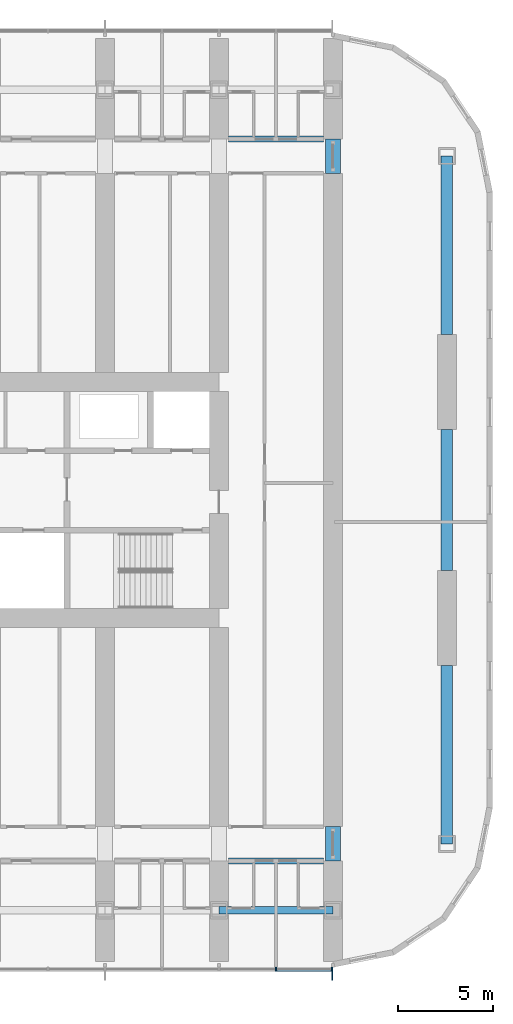
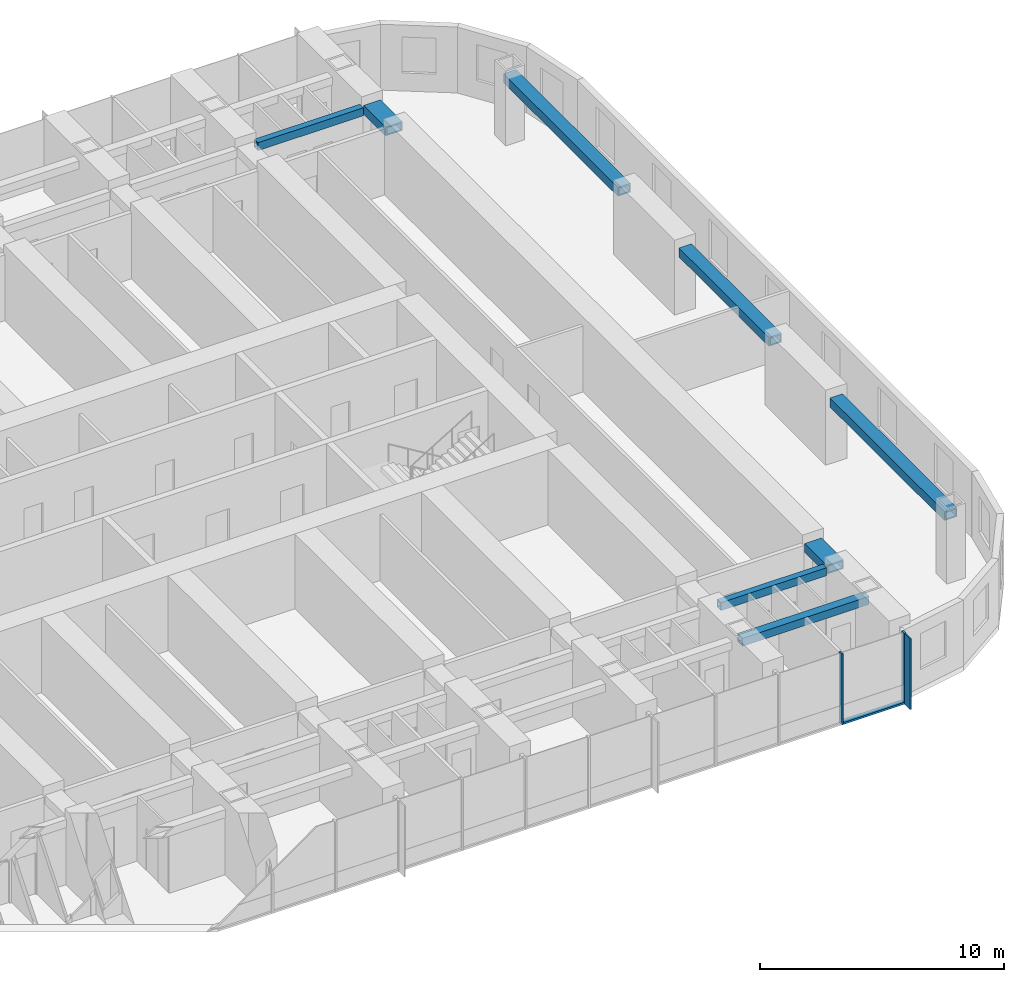
# One storey, part 6 of 24: 8 beams, 4 members, 1 element without a shape of its own.
"""IFC4 building model written with IfcOpenShell, lengths in metres."""

from ifc_helpers import new_model, si_unit, direction, frame, origin, origin_2d, place, context, subcontext, project, spatial, rectangle, hollow_rectangle, extrude, material, material_profile, profile_set, type_object, element, aggregate, save


model = new_model("IFC4")

# Units and contexts
model_context = context("Model", 3, precision=1e-05, world=origin(), true_north=direction((0.0, 1.0)))
body_context = subcontext(model_context, "Body", "Model", "MODEL_VIEW")
ifc_project = project(units=[si_unit("LENGTHUNIT", "METRE"), si_unit("AREAUNIT", "SQUARE_METRE"), si_unit("VOLUMEUNIT", "CUBIC_METRE"), si_unit("PLANEANGLEUNIT", "RADIAN"), si_unit("MASSUNIT", "GRAM", prefix="KILO")], contexts=[model_context])

# Site, building, storey
site_placement = place(None, origin())
site = spatial("IfcSite", under=ifc_project, at=site_placement, CompositionType="ELEMENT")
building_placement = place(site_placement, origin())
building = spatial("IfcBuilding", under=site, at=building_placement, Name="Orbita Commons", CompositionType="ELEMENT")
storey_placement = place(building_placement, frame((0.0, 0.0, 20.199951171875)))
storey = spatial("IfcBuildingStorey", under=building, at=storey_placement, Name="L04", CompositionType="ELEMENT", Elevation=20.199951171875)

# Curtain wall, members
ifc_material_1 = material(Name="Anodised aluminium frame, pale silver", Category="aluminium")
curtain_wall_type = type_object("IfcCurtainWallType", Name="Unitised curtain wall CW-T, vision and spandrel", PredefinedType="NOTDEFINED", material=ifc_material_1)
curtain_wall_placement = place(storey_placement, origin())
curtain_wall = element("IfcCurtainWall", 1, at=curtain_wall_placement, inside=storey, type_object=curtain_wall_type, Name="Curtain wall south L04", PredefinedType="NOTDEFINED")
ifc_material_2 = material(Name="Anodised aluminium, pale silver", Category="aluminium")
ifc_material_profile_1 = material_profile(ifc_material_2, rectangle(XDim=0.080078125, YDim=0.219970703125, at=origin_2d()), Name="AL 80x220")
ifc_profile_set_1 = profile_set([ifc_material_profile_1], Name="Anodised aluminium, pale silver")
member_type_1 = type_object("IfcMemberType", Name="Curtain wall mullion 80x220", PredefinedType="MULLION", material=ifc_profile_set_1)
member_1_placement = place(storey_placement, frame((69.0, 7.2900390625, -0.25), z_axis=(0.0, 0.0, 1.0), x_axis=(1.0, 0.0, 0.0)))
member_1 = element("IfcMember", 2, at=member_1_placement, type_object=member_type_1, Name="Mullion 20 CW-L04-S", PredefinedType="MULLION", context=body_context, shape_type="SweptSolid", body=[
    extrude(rectangle(XDim=0.080078125, YDim=0.219970703125, at=origin_2d()), origin(), (0.0, 0.0, 1.0), 3.550048828125),
])
member_2_placement = place(storey_placement, frame((71.9599609375, 7.2900390625, -0.25), z_axis=(0.0, 0.0, 1.0), x_axis=(1.0, 0.0, 0.0)))
member_2 = element("IfcMember", 3, at=member_2_placement, type_object=member_type_1, Name="Mullion 21 CW-L04-S", PredefinedType="MULLION", context=body_context, shape_type="SweptSolid", body=[
    extrude(rectangle(XDim=0.080078125, YDim=0.219970703125, at=origin_2d()), origin(), (0.0, 0.0, 1.0), 3.550048828125),
])
ifc_material_3 = material(Name="Anodised aluminium, pale silver", Category="aluminium")
ifc_material_profile_2 = material_profile(ifc_material_3, rectangle(XDim=0.219970703125, YDim=0.10009765625, at=origin_2d()), Name="AL 220x100")
ifc_profile_set_2 = profile_set([ifc_material_profile_2], Name="Anodised aluminium, pale silver")
member_type_2 = type_object("IfcMemberType", Name="Curtain wall stack transom 220x100", PredefinedType="USERDEFINED", material=ifc_profile_set_2)
member_3_placement = place(storey_placement, frame((69.0400390625, 7.2900390625, -0.199951171875), z_axis=(1.0, 0.0, 0.0), x_axis=(0.0, 1.0, 0.0)))
member_3 = element("IfcMember", 4, at=member_3_placement, type_object=member_type_2, Name="Transom 20.1 CW-L04-S", ObjectType="TRANSOM", PredefinedType="USERDEFINED", context=body_context, shape_type="SweptSolid", body=[
    extrude(rectangle(XDim=0.219970703125, YDim=0.10009765625, at=origin_2d()), origin(), (0.0, 0.0, 1.0), 2.8798828125),
])

# Beams
ifc_material_4 = material(Name="Steel ASTM A572 Gr 50 welded plate", Category="steel")
ifc_material_profile_3 = material_profile(ifc_material_4, hollow_rectangle(XDim=0.300048828125, YDim=0.39990234375, WallThickness=0.0400390625, at=origin_2d()), Name="BOX 400x300x40")
ifc_profile_set_3 = profile_set([ifc_material_profile_3], Name="Steel ASTM A572 Gr 50 welded plate")
beam_type_1 = type_object("IfcBeamType", Name="Steel corridor link BOX 400x300x40", PredefinedType="BEAM", material=ifc_profile_set_3)
for number, where, z_axis, x_axis, name in (
    (5, (66.5, 13.0, 3.10009765625), (1.0, 0.0, 0.0), (0.0, 1.0, 0.0), "Corridor beam SA 12-13 L04"),
    (6, (66.5, 51.0, 3.10009765625), (1.0, 0.0, 0.0), (0.0, 1.0, 0.0), "Corridor beam NB 12-13 L04"),
):
    element("IfcBeam", number, at=place(storey_placement, frame(where, z_axis=z_axis, x_axis=x_axis)), inside=storey, type_object=beam_type_1, Name=name, PredefinedType="BEAM", context=body_context, shape_type="SweptSolid", body=[
        extrude(hollow_rectangle(XDim=0.300048828125, YDim=0.39990234375, WallThickness=0.0400390625, at=origin_2d()), origin(), (0.0, 0.0, 1.0), 5.0),
    ])
ifc_material_5 = material(Name="Steel ASTM A572 Gr 50 welded plate", Category="steel")
ifc_material_profile_4 = material_profile(ifc_material_5, hollow_rectangle(XDim=0.800048828125, YDim=0.449951171875, WallThickness=0.06005859375, at=origin_2d()), Name="BOX 450x800x60")
ifc_profile_set_4 = profile_set([ifc_material_profile_4], Name="Steel ASTM A572 Gr 50 welded plate")
beam_type_2 = type_object("IfcBeamType", Name="Steel coupling link BOX 450x800x60", PredefinedType="LINTEL", material=ifc_profile_set_4)
for number, where, z_axis, x_axis, name in (
    (7, (72.0, 13.0, 3.074951171875), (0.0, 1.0, 0.0), (-1.0, 0.0, 0.0), "Coupling beam 13 south L04"),
    (8, (72.0, 49.199951171875, 3.074951171875), (0.0, 1.0, 0.0), (-1.0, 0.0, 0.0), "Coupling beam 13 north L04"),
):
    element("IfcBeam", number, at=place(storey_placement, frame(where, z_axis=z_axis, x_axis=x_axis)), inside=storey, type_object=beam_type_2, Name=name, PredefinedType="LINTEL", context=body_context, shape_type="SweptSolid", body=[
        extrude(hollow_rectangle(XDim=0.800048828125, YDim=0.449951171875, WallThickness=0.06005859375, at=origin_2d()), origin(), (0.0, 0.0, 1.0), 1.800048828125),
    ])
ifc_material_6 = material(Name="Steel ASTM A572 Gr 50 welded plate", Category="steel")
ifc_material_profile_5 = material_profile(ifc_material_6, hollow_rectangle(XDim=0.60009765625, YDim=0.449951171875, WallThickness=0.06005859375, at=origin_2d()), Name="BOX 450x600x60")
ifc_profile_set_5 = profile_set([ifc_material_profile_5], Name="Steel ASTM A572 Gr 50 welded plate")
beam_type_3 = type_object("IfcBeamType", Name="Steel end frame link BOX 450x600x60", PredefinedType="BEAM", material=ifc_profile_set_5)
beam_1_placement = place(storey_placement, frame((78.0, 13.89990234375, 3.074951171875), z_axis=(0.0, 1.0, 0.0), x_axis=(-1.0, 0.0, 0.0)))
element("IfcBeam", 9, at=beam_1_placement, inside=storey, type_object=beam_type_3, Name="End frame beam 14 B-C L04", PredefinedType="BEAM", context=body_context, shape_type="SweptSolid", body=[
    extrude(hollow_rectangle(XDim=0.60009765625, YDim=0.449951171875, WallThickness=0.06005859375, at=origin_2d()), origin(), (0.0, 0.0, 1.0), 9.400146484375),
])
beam_2_placement = place(storey_placement, frame((78.0, 28.300048828125, 3.074951171875), z_axis=(0.0, 1.0, 0.0), x_axis=(-1.0, 0.0, 0.0)))
element("IfcBeam", 10, at=beam_2_placement, inside=storey, type_object=beam_type_3, Name="End frame beam 14 C-D L04", PredefinedType="BEAM", context=body_context, shape_type="SweptSolid", body=[
    extrude(hollow_rectangle(XDim=0.60009765625, YDim=0.449951171875, WallThickness=0.06005859375, at=origin_2d()), origin(), (0.0, 0.0, 1.0), 7.39990234375),
])
beam_3_placement = place(storey_placement, frame((78.0, 40.699951171875, 3.074951171875), z_axis=(0.0, 1.0, 0.0), x_axis=(-1.0, 0.0, 0.0)))
element("IfcBeam", 11, at=beam_3_placement, inside=storey, type_object=beam_type_3, Name="End frame beam 14 D-E L04", PredefinedType="BEAM", context=body_context, shape_type="SweptSolid", body=[
    extrude(hollow_rectangle(XDim=0.60009765625, YDim=0.449951171875, WallThickness=0.06005859375, at=origin_2d()), origin(), (0.0, 0.0, 1.0), 9.400146484375),
])
ifc_material_7 = material(Name="Steel ASTM A572 Gr 50 welded plate", Category="steel")
ifc_material_profile_6 = material_profile(ifc_material_7, hollow_rectangle(XDim=0.39990234375, YDim=0.39990234375, WallThickness=0.0400390625, at=origin_2d()), Name="BOX 400x400x40")
ifc_profile_set_6 = profile_set([ifc_material_profile_6], Name="Steel ASTM A572 Gr 50 welded plate")
beam_type_4 = type_object("IfcBeamType", Name="Steel spandrel BOX 400x400x40", PredefinedType="SPANDREL", material=ifc_profile_set_6)
beam_4_placement = place(storey_placement, frame((66.0, 10.39990234375, 3.10009765625), z_axis=(1.0, 0.0, 0.0), x_axis=(0.0, 1.0, 0.0)))
element("IfcBeam", 12, at=beam_4_placement, inside=storey, type_object=beam_type_4, Name="Spandrel beam B 12-13 L04", PredefinedType="SPANDREL", context=body_context, shape_type="SweptSolid", body=[
    extrude(hollow_rectangle(XDim=0.39990234375, YDim=0.39990234375, WallThickness=0.0400390625, at=origin_2d()), origin(), (0.0, 0.0, 1.0), 6.0),
])

# Member
ifc_material_8 = material(Name="Anodised aluminium, pale silver", Category="aluminium")
ifc_material_profile_7 = material_profile(ifc_material_8, rectangle(XDim=0.06005859375, YDim=0.449951171875, at=origin_2d()), Name="FIN 60x450")
ifc_profile_set_7 = profile_set([ifc_material_profile_7], Name="Anodised aluminium, pale silver")
member_type_3 = type_object("IfcMemberType", Name="Vertical fin 60x450 pale aluminium", PredefinedType="USERDEFINED", material=ifc_profile_set_7)
member_4_placement = place(storey_placement, frame((71.9599609375, 6.955078125, -0.25), z_axis=(0.0, 0.0, 1.0), x_axis=(1.0, 0.0, 0.0)))
member_4 = element("IfcMember", 13, at=member_4_placement, type_object=member_type_3, Name="Fin 21 CW-L04-S", ObjectType="FIN", PredefinedType="USERDEFINED", context=body_context, shape_type="SweptSolid", body=[
    extrude(rectangle(XDim=0.06005859375, YDim=0.449951171875, at=origin_2d()), origin(), (0.0, 0.0, 1.0), 3.550048828125),
])

aggregate(curtain_wall, [member_1, member_2, member_4, member_3])

save(model, "model.ifc")
